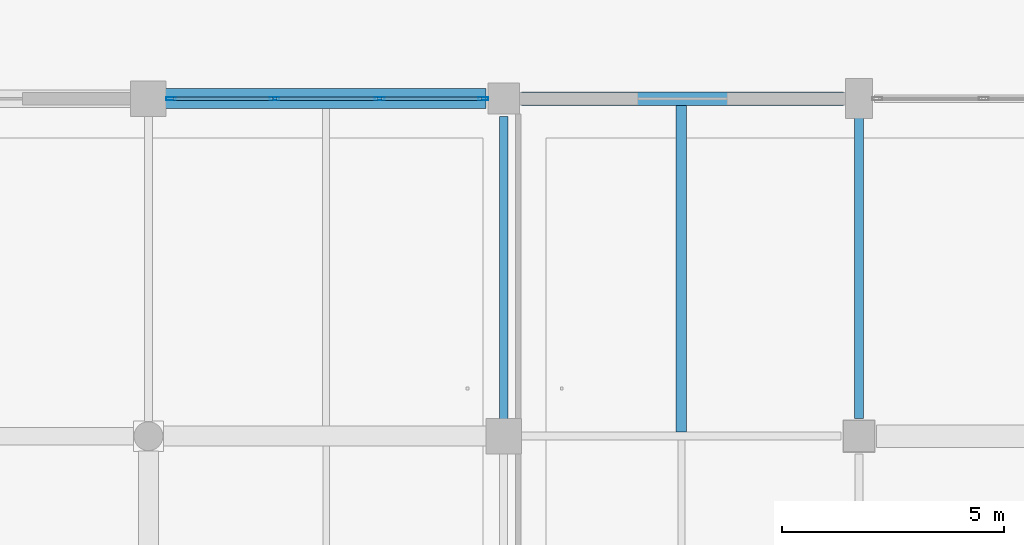
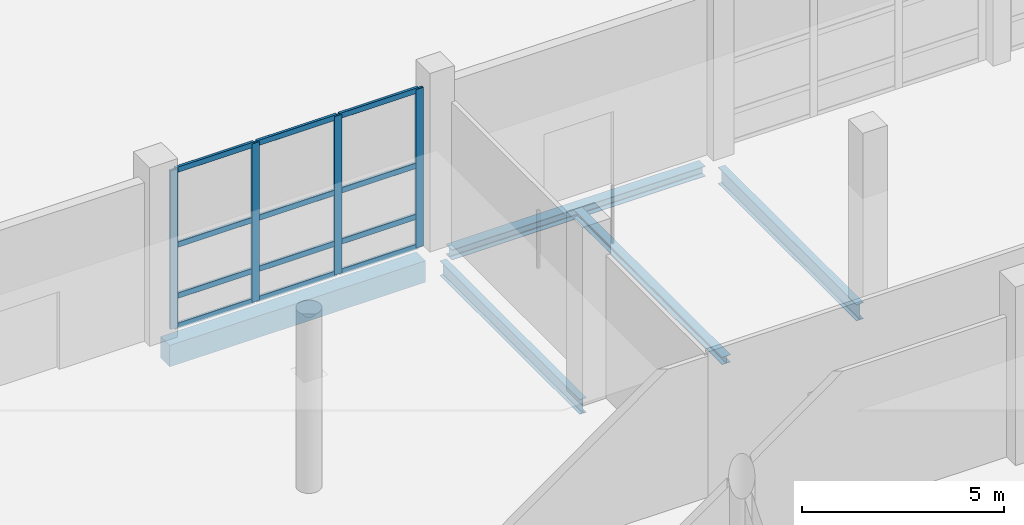
# One storey, part 24 of 126: 16 members, 5 beams, 1 element without a shape of its own.
"""IFC4 building model written with IfcOpenShell, lengths in metres."""

from ifc_helpers import new_model, si_unit, direction, frame, origin, origin_2d, place, context, subcontext, project, spatial, rectangle, hollow_rectangle, i_section, extrude, material, material_profile, profile_set, type_object, element, aggregate, save


model = new_model("IFC4")

# Units and contexts
model_context = context("Model", 3, precision=1e-05, world=origin(), true_north=direction((0.0, 1.0)))
body_context = subcontext(model_context, "Body", "Model", "MODEL_VIEW")
ifc_project = project(units=[si_unit("LENGTHUNIT", "METRE"), si_unit("AREAUNIT", "SQUARE_METRE"), si_unit("VOLUMEUNIT", "CUBIC_METRE"), si_unit("PLANEANGLEUNIT", "RADIAN"), si_unit("MASSUNIT", "GRAM", prefix="KILO")], contexts=[model_context])

# Site, building, storey
site_placement = place(None, origin())
site = spatial("IfcSite", under=ifc_project, at=site_placement, CompositionType="ELEMENT")
building_placement = place(site_placement, origin())
building = spatial("IfcBuilding", under=site, at=building_placement, Name="Khelvaren Railside Concert Hall", CompositionType="ELEMENT")
storey_placement = place(building_placement, origin())
storey = spatial("IfcBuildingStorey", under=building, at=storey_placement, Name="L00", CompositionType="ELEMENT", Elevation=0.0)

# Beams
ifc_material_1 = material(Name="Steel S355", Category="steel")
ifc_material_profile_1 = material_profile(ifc_material_1, i_section(OverallWidth=0.199951171875, OverallDepth=0.5, WebThickness=0.01025390625, FlangeThickness=0.01611328125, FilletRadius=0.02099609375, at=origin_2d()), Name="IPE 500")
ifc_profile_set_1 = profile_set([ifc_material_profile_1], Name="Steel S355")
beam_type_1 = type_object("IfcBeamType", Name="BM62", PredefinedType="BEAM", material=ifc_profile_set_1)
beam_1_placement = place(storey_placement, frame((112.0, 15.60009765625, -0.570068359375), z_axis=(0.0, 1.0, 0.0), x_axis=(-1.0, 0.0, 0.0)))
element("IfcBeam", 1, at=beam_1_placement, inside=storey, type_object=beam_type_1, Name="V3 L00 Beam Y7.3", PredefinedType="BEAM", context=body_context, shape_type="SweptSolid", body=[
    extrude(i_section(OverallWidth=0.199951171875, OverallDepth=0.5, WebThickness=0.01025390625, FlangeThickness=0.01611328125, FilletRadius=0.02099609375, at=origin_2d()), origin(), (0.0, 0.0, 1.0), 6.849853515625),
])
ifc_material_profile_2 = material_profile(ifc_material_1, i_section(OverallWidth=0.18994140625, OverallDepth=0.449951171875, WebThickness=0.009521484375, FlangeThickness=0.0146484375, FilletRadius=0.02099609375, at=origin_2d()), Name="IPE 450")
ifc_profile_set_2 = profile_set([ifc_material_profile_2], Name="Steel S355")
beam_type_2 = type_object("IfcBeamType", Name="BM95", PredefinedType="BEAM", material=ifc_profile_set_2)
beam_2_placement = place(storey_placement, frame((104.0, 15.472900390625, -0.544921875), z_axis=(0.0, 1.0, 0.0), x_axis=(-1.0, 0.0, 0.0)))
element("IfcBeam", 2, at=beam_2_placement, inside=storey, type_object=beam_type_2, Name="V3 L00 Beam Y6.3", PredefinedType="BEAM", context=body_context, shape_type="SweptSolid", body=[
    extrude(i_section(OverallWidth=0.18994140625, OverallDepth=0.449951171875, WebThickness=0.009521484375, FlangeThickness=0.0146484375, FilletRadius=0.02099609375, at=origin_2d()), origin(), (0.0, 0.0, 1.0), 6.927001953125),
])

# Curtain wall, members
ifc_material_2 = material(Name="Triple-glazed solar-control glass", Category="glass")
curtain_wall_type = type_object("IfcCurtainWallType", Name="CW80", PredefinedType="USERDEFINED", material=ifc_material_2)
curtain_wall_placement = place(storey_placement, origin())
curtain_wall = element("IfcCurtainWall", 3, at=curtain_wall_placement, inside=storey, type_object=curtain_wall_type, Name="Unitised Curtain Wall CW-V3-L00-N-96", ObjectType="UNITISED CURTAIN WALL", PredefinedType="USERDEFINED")
ifc_material_3 = material(Name="Anodised architectural aluminium 6063-T6", Category="aluminium")
ifc_material_profile_3 = material_profile(ifc_material_3, hollow_rectangle(XDim=0.074951171875, YDim=0.219970703125, WallThickness=0.0048828125, InnerFilletRadius=0.0029296875, OuterFilletRadius=0.0048828125, at=origin_2d()), Name="CWM 75x220x5")
ifc_profile_set_3 = profile_set([ifc_material_profile_3], Name="Anodised architectural aluminium 6063-T6")
member_type_1 = type_object("IfcMemberType", Name="CWM13", PredefinedType="MULLION", material=ifc_profile_set_3)
member_1_placement = place(storey_placement, frame((96.510009765625, 22.800048828125, 0.0), z_axis=(0.0, 0.0, 1.0), x_axis=(0.0, 1.0, 0.0)))
member_1 = element("IfcMember", 4, at=member_1_placement, type_object=member_type_1, Name="CW80 mullion 1", PredefinedType="MULLION", context=body_context, shape_type="SweptSolid", body=[
    extrude(hollow_rectangle(XDim=0.074951171875, YDim=0.219970703125, WallThickness=0.0048828125, InnerFilletRadius=0.0029296875, OuterFilletRadius=0.0048828125, at=origin_2d()), origin(), (0.0, 0.0, 1.0), 4.800048828125),
])
member_2_placement = place(storey_placement, frame((98.8408203125, 22.800048828125, 0.0), z_axis=(0.0, 0.0, 1.0), x_axis=(0.0, 1.0, 0.0)))
member_2 = element("IfcMember", 5, at=member_2_placement, type_object=member_type_1, Name="CW80 mullion 2", PredefinedType="MULLION", context=body_context, shape_type="SweptSolid", body=[
    extrude(hollow_rectangle(XDim=0.074951171875, YDim=0.219970703125, WallThickness=0.0048828125, InnerFilletRadius=0.0029296875, OuterFilletRadius=0.0048828125, at=origin_2d()), origin(), (0.0, 0.0, 1.0), 4.800048828125),
])
member_3_placement = place(storey_placement, frame((101.209228515625, 22.800048828125, 0.0), z_axis=(0.0, 0.0, 1.0), x_axis=(0.0, 1.0, 0.0)))
member_3 = element("IfcMember", 6, at=member_3_placement, type_object=member_type_1, Name="CW80 mullion 3", PredefinedType="MULLION", context=body_context, shape_type="SweptSolid", body=[
    extrude(hollow_rectangle(XDim=0.074951171875, YDim=0.219970703125, WallThickness=0.0048828125, InnerFilletRadius=0.0029296875, OuterFilletRadius=0.0048828125, at=origin_2d()), origin(), (0.0, 0.0, 1.0), 4.800048828125),
])
member_4_placement = place(storey_placement, frame((103.5400390625, 22.800048828125, 0.0), z_axis=(0.0, 0.0, 1.0), x_axis=(0.0, 1.0, 0.0)))
member_4 = element("IfcMember", 7, at=member_4_placement, type_object=member_type_1, Name="CW80 mullion 4", PredefinedType="MULLION", context=body_context, shape_type="SweptSolid", body=[
    extrude(hollow_rectangle(XDim=0.074951171875, YDim=0.219970703125, WallThickness=0.0048828125, InnerFilletRadius=0.0029296875, OuterFilletRadius=0.0048828125, at=origin_2d()), origin(), (0.0, 0.0, 1.0), 4.800048828125),
])
ifc_material_profile_4 = material_profile(ifc_material_3, hollow_rectangle(XDim=0.074951171875, YDim=0.1650390625, WallThickness=0.00390625, InnerFilletRadius=0.001953125, OuterFilletRadius=0.00390625, at=origin_2d()), Name="CWT 75x165x4")
ifc_profile_set_4 = profile_set([ifc_material_profile_4], Name="Anodised architectural aluminium 6063-T6")
member_type_2 = type_object("IfcMemberType", Name="CWT46", PredefinedType="USERDEFINED", material=ifc_profile_set_4)
member_5_placement = place(storey_placement, frame((96.547607421875, 22.800048828125, 0.03759765625), z_axis=(1.0, 0.0, 0.0), x_axis=(0.0, 1.0, 0.0)))
member_5 = element("IfcMember", 8, at=member_5_placement, type_object=member_type_2, Name="CW80 transom 1.1", ObjectType="TRANSOM", PredefinedType="USERDEFINED", context=body_context, shape_type="SweptSolid", body=[
    extrude(hollow_rectangle(XDim=0.074951171875, YDim=0.1650390625, WallThickness=0.00390625, InnerFilletRadius=0.001953125, OuterFilletRadius=0.00390625, at=origin_2d()), origin(), (0.0, 0.0, 1.0), 2.255615234375),
])
member_6_placement = place(storey_placement, frame((96.547607421875, 22.800048828125, 0.949951171875), z_axis=(1.0, 0.0, 0.0), x_axis=(0.0, 1.0, 0.0)))
member_6 = element("IfcMember", 9, at=member_6_placement, type_object=member_type_2, Name="CW80 transom 1.2", ObjectType="TRANSOM", PredefinedType="USERDEFINED", context=body_context, shape_type="SweptSolid", body=[
    extrude(hollow_rectangle(XDim=0.074951171875, YDim=0.1650390625, WallThickness=0.00390625, InnerFilletRadius=0.001953125, OuterFilletRadius=0.00390625, at=origin_2d()), origin(), (0.0, 0.0, 1.0), 2.255615234375),
])
member_7_placement = place(storey_placement, frame((96.547607421875, 22.800048828125, 2.49609375), z_axis=(1.0, 0.0, 0.0), x_axis=(0.0, 1.0, 0.0)))
member_7 = element("IfcMember", 10, at=member_7_placement, type_object=member_type_2, Name="CW80 transom 1.3", ObjectType="TRANSOM", PredefinedType="USERDEFINED", context=body_context, shape_type="SweptSolid", body=[
    extrude(hollow_rectangle(XDim=0.074951171875, YDim=0.1650390625, WallThickness=0.00390625, InnerFilletRadius=0.001953125, OuterFilletRadius=0.00390625, at=origin_2d()), origin(), (0.0, 0.0, 1.0), 2.255615234375),
])
member_8_placement = place(storey_placement, frame((96.547607421875, 22.800048828125, 4.762451171875), z_axis=(1.0, 0.0, 0.0), x_axis=(0.0, 1.0, 0.0)))
member_8 = element("IfcMember", 11, at=member_8_placement, type_object=member_type_2, Name="CW80 transom 1.4", ObjectType="TRANSOM", PredefinedType="USERDEFINED", context=body_context, shape_type="SweptSolid", body=[
    extrude(hollow_rectangle(XDim=0.074951171875, YDim=0.1650390625, WallThickness=0.00390625, InnerFilletRadius=0.001953125, OuterFilletRadius=0.00390625, at=origin_2d()), origin(), (0.0, 0.0, 1.0), 2.255615234375),
])
member_9_placement = place(storey_placement, frame((98.87841796875, 22.800048828125, 0.03759765625), z_axis=(1.0, 0.0, 0.0), x_axis=(0.0, 1.0, 0.0)))
member_9 = element("IfcMember", 12, at=member_9_placement, type_object=member_type_2, Name="CW80 transom 2.1", ObjectType="TRANSOM", PredefinedType="USERDEFINED", context=body_context, shape_type="SweptSolid", body=[
    extrude(hollow_rectangle(XDim=0.074951171875, YDim=0.1650390625, WallThickness=0.00390625, InnerFilletRadius=0.001953125, OuterFilletRadius=0.00390625, at=origin_2d()), origin(), (0.0, 0.0, 1.0), 2.293212890625),
])
member_10_placement = place(storey_placement, frame((98.87841796875, 22.800048828125, 0.949951171875), z_axis=(1.0, 0.0, 0.0), x_axis=(0.0, 1.0, 0.0)))
member_10 = element("IfcMember", 13, at=member_10_placement, type_object=member_type_2, Name="CW80 transom 2.2", ObjectType="TRANSOM", PredefinedType="USERDEFINED", context=body_context, shape_type="SweptSolid", body=[
    extrude(hollow_rectangle(XDim=0.074951171875, YDim=0.1650390625, WallThickness=0.00390625, InnerFilletRadius=0.001953125, OuterFilletRadius=0.00390625, at=origin_2d()), origin(), (0.0, 0.0, 1.0), 2.293212890625),
])
member_11_placement = place(storey_placement, frame((98.87841796875, 22.800048828125, 2.49609375), z_axis=(1.0, 0.0, 0.0), x_axis=(0.0, 1.0, 0.0)))
member_11 = element("IfcMember", 14, at=member_11_placement, type_object=member_type_2, Name="CW80 transom 2.3", ObjectType="TRANSOM", PredefinedType="USERDEFINED", context=body_context, shape_type="SweptSolid", body=[
    extrude(hollow_rectangle(XDim=0.074951171875, YDim=0.1650390625, WallThickness=0.00390625, InnerFilletRadius=0.001953125, OuterFilletRadius=0.00390625, at=origin_2d()), origin(), (0.0, 0.0, 1.0), 2.293212890625),
])
member_12_placement = place(storey_placement, frame((98.87841796875, 22.800048828125, 4.762451171875), z_axis=(1.0, 0.0, 0.0), x_axis=(0.0, 1.0, 0.0)))
member_12 = element("IfcMember", 15, at=member_12_placement, type_object=member_type_2, Name="CW80 transom 2.4", ObjectType="TRANSOM", PredefinedType="USERDEFINED", context=body_context, shape_type="SweptSolid", body=[
    extrude(hollow_rectangle(XDim=0.074951171875, YDim=0.1650390625, WallThickness=0.00390625, InnerFilletRadius=0.001953125, OuterFilletRadius=0.00390625, at=origin_2d()), origin(), (0.0, 0.0, 1.0), 2.293212890625),
])
member_13_placement = place(storey_placement, frame((101.24658203125, 22.800048828125, 0.03759765625), z_axis=(1.0, 0.0, 0.0), x_axis=(0.0, 1.0, 0.0)))
member_13 = element("IfcMember", 16, at=member_13_placement, type_object=member_type_2, Name="CW80 transom 3.1", ObjectType="TRANSOM", PredefinedType="USERDEFINED", context=body_context, shape_type="SweptSolid", body=[
    extrude(hollow_rectangle(XDim=0.074951171875, YDim=0.1650390625, WallThickness=0.00390625, InnerFilletRadius=0.001953125, OuterFilletRadius=0.00390625, at=origin_2d()), origin(), (0.0, 0.0, 1.0), 2.255859375),
])
member_14_placement = place(storey_placement, frame((101.24658203125, 22.800048828125, 0.949951171875), z_axis=(1.0, 0.0, 0.0), x_axis=(0.0, 1.0, 0.0)))
member_14 = element("IfcMember", 17, at=member_14_placement, type_object=member_type_2, Name="CW80 transom 3.2", ObjectType="TRANSOM", PredefinedType="USERDEFINED", context=body_context, shape_type="SweptSolid", body=[
    extrude(hollow_rectangle(XDim=0.074951171875, YDim=0.1650390625, WallThickness=0.00390625, InnerFilletRadius=0.001953125, OuterFilletRadius=0.00390625, at=origin_2d()), origin(), (0.0, 0.0, 1.0), 2.255859375),
])
member_15_placement = place(storey_placement, frame((101.24658203125, 22.800048828125, 2.49609375), z_axis=(1.0, 0.0, 0.0), x_axis=(0.0, 1.0, 0.0)))
member_15 = element("IfcMember", 18, at=member_15_placement, type_object=member_type_2, Name="CW80 transom 3.3", ObjectType="TRANSOM", PredefinedType="USERDEFINED", context=body_context, shape_type="SweptSolid", body=[
    extrude(hollow_rectangle(XDim=0.074951171875, YDim=0.1650390625, WallThickness=0.00390625, InnerFilletRadius=0.001953125, OuterFilletRadius=0.00390625, at=origin_2d()), origin(), (0.0, 0.0, 1.0), 2.255859375),
])
member_16_placement = place(storey_placement, frame((101.24658203125, 22.800048828125, 4.762451171875), z_axis=(1.0, 0.0, 0.0), x_axis=(0.0, 1.0, 0.0)))
member_16 = element("IfcMember", 19, at=member_16_placement, type_object=member_type_2, Name="CW80 transom 3.4", ObjectType="TRANSOM", PredefinedType="USERDEFINED", context=body_context, shape_type="SweptSolid", body=[
    extrude(hollow_rectangle(XDim=0.074951171875, YDim=0.1650390625, WallThickness=0.00390625, InnerFilletRadius=0.001953125, OuterFilletRadius=0.00390625, at=origin_2d()), origin(), (0.0, 0.0, 1.0), 2.255859375),
])
aggregate(curtain_wall, [member_1, member_2, member_3, member_4, member_5, member_6, member_7, member_8, member_9, member_10, member_11, member_12, member_13, member_14, member_15, member_16])

# Beams
ifc_material_profile_5 = material_profile(ifc_material_1, i_section(OverallWidth=0.239990234375, OverallDepth=0.22998046875, WebThickness=0.007568359375, FlangeThickness=0.011962890625, FilletRadius=0.02099609375, at=origin_2d()), Name="HEA 240")
ifc_profile_set_5 = profile_set([ifc_material_profile_5], Name="Steel S355")
beam_type_3 = type_object("IfcBeamType", Name="JS76", PredefinedType="JOIST", material=ifc_profile_set_5)
beam_3_placement = place(storey_placement, frame((108.0, 15.2900390625, -0.43505859375), z_axis=(0.0, 1.0, 0.0), x_axis=(-1.0, 0.0, 0.0)))
element("IfcBeam", 20, at=beam_3_placement, inside=storey, type_object=beam_type_3, Name="V3 L00 Secondary Joist 6.3", PredefinedType="JOIST", context=body_context, shape_type="SweptSolid", body=[
    extrude(i_section(OverallWidth=0.239990234375, OverallDepth=0.22998046875, WebThickness=0.007568359375, FlangeThickness=0.011962890625, FilletRadius=0.02099609375, at=origin_2d()), origin(), (0.0, 0.0, 1.0), 7.35986328125),
])
ifc_material_4 = material(Name="Concrete C40/50", Category="concrete")
ifc_material_profile_6 = material_profile(ifc_material_4, rectangle(XDim=0.449951171875, YDim=0.64990234375, at=origin_2d()), Name="RCB 450x650")
ifc_profile_set_6 = profile_set([ifc_material_profile_6], Name="Concrete C40/50")
beam_type_4 = type_object("IfcBeamType", Name="SP34", PredefinedType="SPANDREL", material=ifc_profile_set_6)
beam_4_placement = place(storey_placement, frame((96.27294921875, 22.800048828125, -0.64501953125), z_axis=(1.0, 0.0, 0.0), x_axis=(0.0, 1.0, 0.0)))
element("IfcBeam", 21, at=beam_4_placement, inside=storey, type_object=beam_type_4, Name="V3 L00 Spandrel X4.5", PredefinedType="SPANDREL", context=body_context, shape_type="SweptSolid", body=[
    extrude(rectangle(XDim=0.449951171875, YDim=0.64990234375, at=origin_2d()), origin(), (0.0, 0.0, 1.0), 7.3271484375),
])
ifc_material_profile_7 = material_profile(ifc_material_1, i_section(OverallWidth=0.300048828125, OverallDepth=0.31005859375, WebThickness=0.009033203125, FlangeThickness=0.015380859375, FilletRadius=0.027099609375, at=origin_2d()), Name="HEA 320")
ifc_profile_set_7 = profile_set([ifc_material_profile_7], Name="Steel S355")
beam_type_5 = type_object("IfcBeamType", Name="SP66", PredefinedType="SPANDREL", material=ifc_profile_set_7)
beam_5_placement = place(storey_placement, frame((104.39990234375, 22.800048828125, -0.47509765625), z_axis=(1.0, 0.0, 0.0), x_axis=(0.0, 1.0, 0.0)))
element("IfcBeam", 22, at=beam_5_placement, inside=storey, type_object=beam_type_5, Name="V3 L00 Spandrel X4.6", PredefinedType="SPANDREL", context=body_context, shape_type="SweptSolid", body=[
    extrude(i_section(OverallWidth=0.300048828125, OverallDepth=0.31005859375, WebThickness=0.009033203125, FlangeThickness=0.015380859375, FilletRadius=0.027099609375, at=origin_2d()), origin(), (0.0, 0.0, 1.0), 7.25),
])

save(model, "model.ifc")
